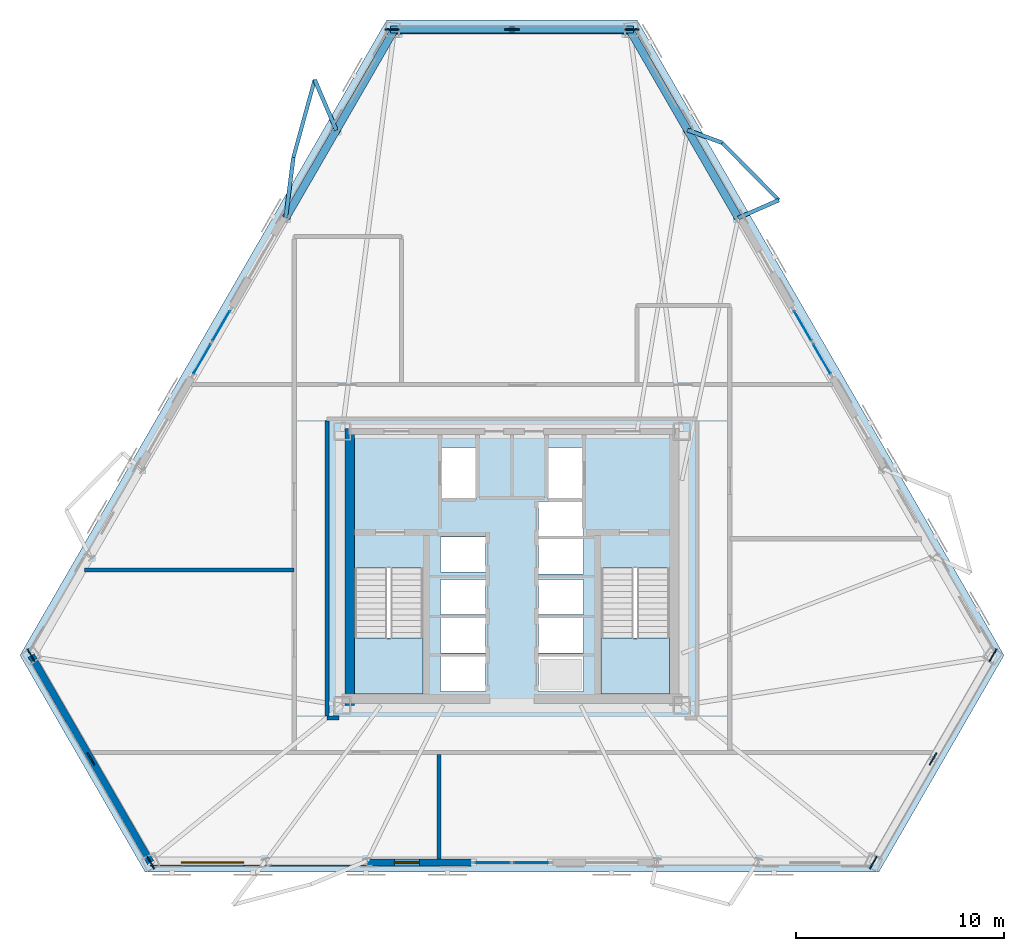
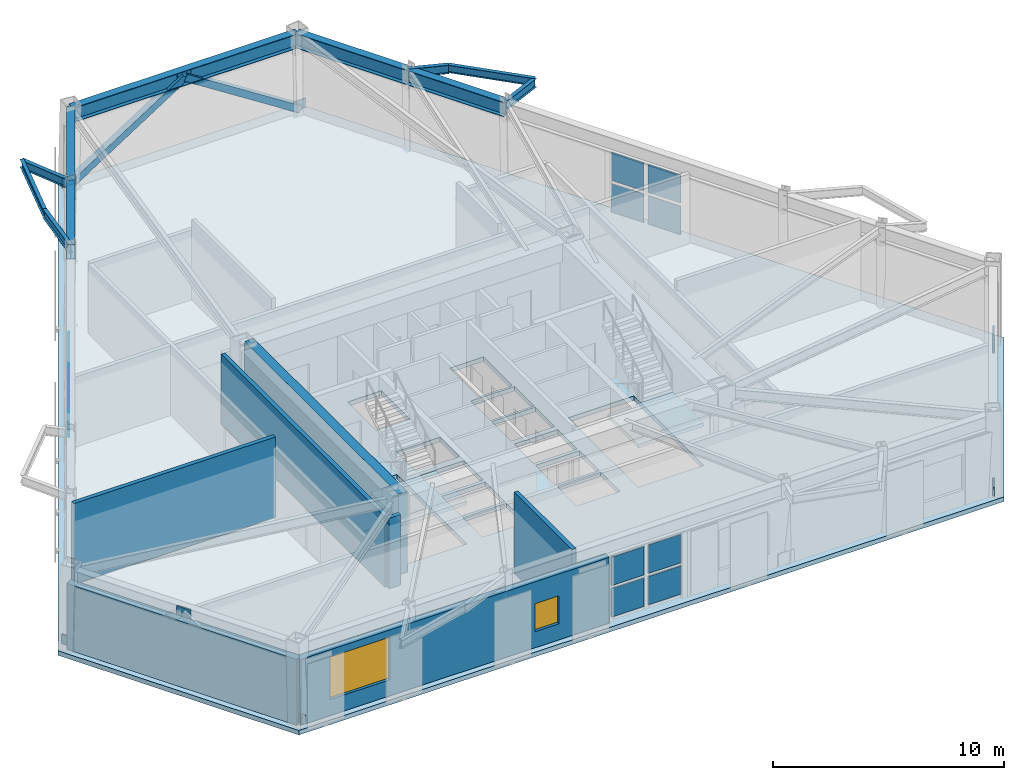
# One storey, part 7 of 14: 21 plates, 11 beams, 7 walls, 3 slabs, 2 members, 2 windows, 2 openings, 5 elements without a shape of their own.
"""IFC4 building model written with IfcOpenShell, lengths in metres."""

import ifcopenshell
import ifcopenshell.guid

model = None  # the IFC model being written
_history = None  # IfcOwnerHistory: only IFC2X3 demands one
_inside = {}  # id of a spatial element -> (the spatial element, [elements in it])
_under = {}  # id of a project, library or spatial element -> (it, [spatial elements below it])
_declared = {}  # id of a project -> (the project, [libraries it declares])
_typed = {}  # id of a type object -> (the type object, [elements of that type])
_made_of = {}  # id of a material, layer set ... -> (it, [elements and type objects made of it])


def new_model(schema):
    """Start an empty IFC model of exactly this schema.

    Asked for "IFC4X3", IfcOpenShell would pick the latest addendum, in which some entities
    have other attributes; the version numbers below select the first issue.
    IFC2X3 requires an IfcOwnerHistory on every rooted entity: one is made here for all.
    """
    global model, _history
    if schema == "IFC4X3":
        model = ifcopenshell.file(schema_version=(4, 3, 0, 0))
    else:
        model = ifcopenshell.file(schema=schema)
    _inside.clear()
    _under.clear()
    _declared.clear()
    _typed.clear()
    _made_of.clear()
    _history = None
    if model.schema == "IFC2X3":
        org = make("IfcOrganization", Name="unknown")
        user = make(
            "IfcPersonAndOrganization",
            ThePerson=make("IfcPerson", FamilyName="unknown"),
            TheOrganization=org,
        )
        app = make(
            "IfcApplication",
            ApplicationDeveloper=org,
            Version="unknown",
            ApplicationFullName="unknown",
            ApplicationIdentifier="unknown",
        )
        _history = make(
            "IfcOwnerHistory",
            OwningUser=user,
            OwningApplication=app,
            ChangeAction="ADDED",
            CreationDate=0,
        )
    return model


def make(cls, **values):
    """One entity of the class cls with the attributes given. An attribute that is None is left unset."""
    return model.create_entity(
        cls, **{name: value for name, value in values.items() if value is not None}
    )


def rooted(cls, **values):
    """An entity with a GlobalId (a new one), such as an element, a storey or a relation."""
    return make(cls, GlobalId=ifcopenshell.guid.new(), OwnerHistory=_history, **values)


def si_unit(unit_type, name, prefix=None):
    """IfcSIUnit, for example si_unit("LENGTHUNIT", "METRE", prefix="MILLI")."""
    return make("IfcSIUnit", UnitType=unit_type, Prefix=prefix, Name=name)


def assignment(units):
    """IfcUnitAssignment: the units of a project."""
    return None if units is None else make("IfcUnitAssignment", Units=units)


def point(xyz):
    """IfcCartesianPoint."""
    return None if xyz is None else make("IfcCartesianPoint", Coordinates=xyz)


def direction(xyz):
    """IfcDirection."""
    return None if xyz is None else make("IfcDirection", DirectionRatios=xyz)


def frame(location, z_axis=None, x_axis=None):
    """IfcAxis2Placement3D, a coordinate frame: its origin and axes. An axis left out is left unset."""
    return make(
        "IfcAxis2Placement3D",
        Location=point(location),
        Axis=direction(z_axis),
        RefDirection=direction(x_axis),
    )


def frame_2d(location, x_axis=None):
    """IfcAxis2Placement2D, a coordinate frame in the plane: its origin and x axis."""
    return make(
        "IfcAxis2Placement2D", Location=point(location), RefDirection=direction(x_axis)
    )


def origin():
    """The frame at (0, 0, 0) with its axes left unset."""
    return frame((0.0, 0.0, 0.0))


def origin_2d():
    """The frame at (0, 0) in the plane with its x axis left unset."""
    return frame_2d((0.0, 0.0))


def place(relative_to, where):
    """IfcLocalPlacement: puts the frame where relative to a parent placement (None: the world)."""
    return make(
        "IfcLocalPlacement", PlacementRelTo=relative_to, RelativePlacement=where
    )


def context(
    kind, dimensions, precision=None, world=None, true_north=None, identifier=None
):
    """IfcGeometricRepresentationContext, for example the 3D "Model" context."""
    return make(
        "IfcGeometricRepresentationContext",
        ContextIdentifier=identifier,
        ContextType=kind,
        CoordinateSpaceDimension=dimensions,
        Precision=precision,
        WorldCoordinateSystem=world,
        TrueNorth=true_north,
    )


def subcontext(parent, identifier, kind, view, scale=None):
    """IfcGeometricRepresentationSubContext, for example "Body" below "Model"."""
    return make(
        "IfcGeometricRepresentationSubContext",
        ContextIdentifier=identifier,
        ContextType=kind,
        ParentContext=parent,
        TargetScale=scale,
        TargetView=view,
    )


def project(units=None, contexts=None):
    """IfcProject with its units and contexts."""
    return rooted(
        "IfcProject",
        Name="project",
        RepresentationContexts=contexts,
        UnitsInContext=assignment(units),
    )


def spatial(cls, under=None, at=None, **own):
    """A site, building, storey or space (cls), placed at a placement, below another one or the project."""
    s = rooted(cls, ObjectPlacement=at, **own)
    if under is not None:
        _under.setdefault(under.id(), (under, []))[1].append(s)
    return s


def polyline(points):
    """IfcPolyline through the points."""
    return make("IfcPolyline", Points=[point(p) for p in points])


def profile(cls, at=None, kind="AREA", **sizes):
    """A parametric profile (cls). Its sizes go by their IFC names, for example OverallWidth=200.0."""
    return make(cls, ProfileType=kind, Position=at, **sizes)


def rectangle(**sizes):
    """IfcRectangleProfileDef."""
    return profile("IfcRectangleProfileDef", **sizes)


def hollow_rectangle(**sizes):
    """IfcRectangleHollowProfileDef."""
    return profile("IfcRectangleHollowProfileDef", **sizes)


def i_section(**sizes):
    """IfcIShapeProfileDef."""
    return profile("IfcIShapeProfileDef", **sizes)


def outline(outer, holes=None, kind="AREA"):
    """IfcArbitraryClosedProfileDef: a profile drawn as a closed curve; with holes, ...WithVoids."""
    if holes is None:
        return make("IfcArbitraryClosedProfileDef", ProfileType=kind, OuterCurve=outer)
    return make(
        "IfcArbitraryProfileDefWithVoids",
        ProfileType=kind,
        OuterCurve=outer,
        InnerCurves=holes,
    )


def extrude(swept, where, along, depth):
    """IfcExtrudedAreaSolid: the profile swept, set in the frame where, extruded along a direction by depth."""
    return make(
        "IfcExtrudedAreaSolid",
        SweptArea=swept,
        Position=where,
        ExtrudedDirection=direction(along),
        Depth=depth,
    )


def shape(context_of_items, identifier, shape_type, items):
    """IfcShapeRepresentation: the items that make up one representation, for example the "Body"."""
    return make(
        "IfcShapeRepresentation",
        ContextOfItems=context_of_items,
        RepresentationIdentifier=identifier,
        RepresentationType=shape_type,
        Items=items,
    )


def material(Name=None, Category=None):
    """IfcMaterial."""
    return make("IfcMaterial", Name=Name, Category=Category)


def layer(
    of_material, thickness, ventilated=None, Name=None, Category=None, Priority=None
):
    """IfcMaterialLayer: one layer of a wall or slab, of a material (None: an air gap)."""
    return make(
        "IfcMaterialLayer",
        Material=of_material,
        LayerThickness=thickness,
        IsVentilated=ventilated,
        Name=Name,
        Category=Category,
        Priority=Priority,
    )


def layer_set(layers, Name=None):
    """IfcMaterialLayerSet."""
    return make("IfcMaterialLayerSet", MaterialLayers=layers, LayerSetName=Name)


def material_profile(
    of_material, cross_section, Name=None, Category=None, Priority=None
):
    """IfcMaterialProfile: a cross section and its material."""
    return make(
        "IfcMaterialProfile",
        Name=Name,
        Material=of_material,
        Profile=cross_section,
        Priority=Priority,
        Category=Category,
    )


def profile_set(profiles, Name=None, composite=None):
    """IfcMaterialProfileSet."""
    return make(
        "IfcMaterialProfileSet",
        Name=Name,
        MaterialProfiles=profiles,
        CompositeProfile=composite,
    )


def made_of(thing, what):
    """Note that an element or type object is made of a material, layer set ...; save() writes the relation."""
    if what is not None:
        _made_of.setdefault(what.id(), (what, []))[1].append(thing)
    return thing


def type_object(cls, material=None, **own):
    """A type object (cls), such as IfcWallType, which elements share."""
    return made_of(rooted(cls, **own), material)


def element(
    cls,
    number,
    at=None,
    inside=None,
    cuts=None,
    type_object=None,
    material=None,
    context=None,
    identifier="Body",
    shape_type=None,
    held_by="IfcProductDefinitionShape",
    body=None,
    shapes=None,
    **own,
):
    """One element of the class cls, such as IfcWall. Its Tag is "e" and its number.

    at: its placement. inside: the storey or other place that contains it. cuts: it is an
    opening in that element (IfcRelVoidsElement). A single representation is given by context,
    identifier, shape_type and body (its items); several are given by shapes. held_by: the class
    of the entity that holds the representations. save() writes the other relations.
    """
    e = rooted(cls, Tag="e%d" % number, ObjectPlacement=at, **own)
    if body is not None:
        shapes = [shape(context, identifier, shape_type, body)]
    if shapes is not None:
        e.Representation = make(held_by, Representations=shapes)
    if inside is not None:
        _inside.setdefault(inside.id(), (inside, []))[1].append(e)
    if cuts is not None:
        rooted(
            "IfcRelVoidsElement", RelatingBuildingElement=cuts, RelatedOpeningElement=e
        )
    if type_object is not None:
        _typed.setdefault(type_object.id(), (type_object, []))[1].append(e)
    return made_of(e, material)


def fill(opening, filler):
    """IfcRelFillsElement: the door or window that sits in an opening."""
    return rooted(
        "IfcRelFillsElement",
        RelatingOpeningElement=opening,
        RelatedBuildingElement=filler,
    )


def aggregate(whole, parts):
    """IfcRelAggregates: a whole, such as a stair, and the parts it consists of."""
    return rooted("IfcRelAggregates", RelatingObject=whole, RelatedObjects=parts)


def save(model, path):
    """Write the relations noted so far, then the file.

    IfcRelAggregates (storeys below a building ...), IfcRelContainedInSpatialStructure (elements
    in a storey), IfcRelDefinesByType, IfcRelAssociatesMaterial and IfcRelDeclares: one each for
    every whole, place, type object, material and project.
    """
    for whole, parts in _under.values():
        aggregate(whole, parts)
    for where, things in _inside.values():
        rooted(
            "IfcRelContainedInSpatialStructure",
            RelatedElements=things,
            RelatingStructure=where,
        )
    for kind, things in _typed.values():
        rooted("IfcRelDefinesByType", RelatedObjects=things, RelatingType=kind)
    for what, things in _made_of.values():
        rooted("IfcRelAssociatesMaterial", RelatedObjects=things, RelatingMaterial=what)
    for by, libraries in _declared.values():
        rooted("IfcRelDeclares", RelatingContext=by, RelatedDefinitions=libraries)
    model.write(path)


model = new_model("IFC4")

# Units and contexts
model_context = context("Model", 3, precision=1e-05, world=origin(), true_north=direction((0.0, 1.0)))
body_context = subcontext(model_context, "Body", "Model", "MODEL_VIEW")
ifc_project = project(units=[si_unit("LENGTHUNIT", "METRE"), si_unit("AREAUNIT", "SQUARE_METRE"), si_unit("VOLUMEUNIT", "CUBIC_METRE"), si_unit("PLANEANGLEUNIT", "RADIAN"), si_unit("MASSUNIT", "GRAM", prefix="KILO")], contexts=[model_context])

# Site, building, storey
site_placement = place(None, origin())
site = spatial("IfcSite", under=ifc_project, at=site_placement, CompositionType="ELEMENT")
building_placement = place(site_placement, origin())
building = spatial("IfcBuilding", under=site, at=building_placement, Name="Oramaril Tower", CompositionType="ELEMENT")
storey_placement = place(building_placement, frame((0.0, 0.0, 107.699951171875)))
storey = spatial("IfcBuildingStorey", under=building, at=storey_placement, Name="L28", CompositionType="ELEMENT", Elevation=107.699951171875)

# Beams
ifc_material_1 = material(Name="Steel ASTM A572 Gr 50", Category="steel")
ifc_material_profile_1 = material_profile(ifc_material_1, i_section(OverallWidth=0.19091796875, OverallDepth=0.45703125, WebThickness=0.009033203125, FlangeThickness=0.014404296875, at=origin_2d()), Name="W18X50")
ifc_profile_set_1 = profile_set([ifc_material_profile_1], Name="Steel ASTM A572 Gr 50")
beam_type_1 = type_object("IfcBeamType", Name="BT-BB1", PredefinedType="BEAM", material=ifc_profile_set_1)
beam_1_placement = place(storey_placement, frame((48.3623046875, 34.396484375, 4.031494140625), z_axis=(0.915418559686, 0.402503242946, 0.0), x_axis=(-0.402503242946, 0.915418559686, 0.0)))
element("IfcBeam", 1, at=beam_1_placement, inside=storey, type_object=beam_type_1, Name="L28 Balcony Column-Framed Cantilever 04.1", PredefinedType="BEAM", context=body_context, shape_type="SweptSolid", body=[
    extrude(i_section(OverallWidth=0.19091796875, OverallDepth=0.45703125, WebThickness=0.009033203125, FlangeThickness=0.014404296875, at=origin_2d()), origin(), (0.0, 0.0, 1.0), 2.12060546875),
])
beam_2_placement = place(storey_placement, frame((45.9296875, 38.60986328125, 4.031494140625), z_axis=(0.938683494878, -0.344780069674, 0.0), x_axis=(0.344780069674, 0.938683494878, 0.0)))
element("IfcBeam", 2, at=beam_2_placement, inside=storey, type_object=beam_type_1, Name="L28 Balcony Column-Framed Cantilever 04.2", PredefinedType="BEAM", context=body_context, shape_type="SweptSolid", body=[
    extrude(i_section(OverallWidth=0.19091796875, OverallDepth=0.45703125, WebThickness=0.009033203125, FlangeThickness=0.014404296875, at=origin_2d()), origin(), (0.0, 0.0, 1.0), 1.760986328125),
])
beam_3_placement = place(storey_placement, frame((29.0703125, 38.60986328125, 4.031494140625), z_axis=(-0.39519619202, 0.918596739496, 0.0), x_axis=(-0.918596739496, -0.39519619202, 0.0)))
element("IfcBeam", 3, at=beam_3_placement, inside=storey, type_object=beam_type_1, Name="L28 Balcony Column-Framed Cantilever 05.1", PredefinedType="BEAM", context=body_context, shape_type="SweptSolid", body=[
    extrude(i_section(OverallWidth=0.19091796875, OverallDepth=0.45703125, WebThickness=0.009033203125, FlangeThickness=0.014404296875, at=origin_2d()), origin(), (0.0, 0.0, 1.0), 2.6298828125),
])
beam_4_placement = place(storey_placement, frame((26.6376953125, 34.396484375, 4.031494140625), z_axis=(0.126740400826, 0.991935920712, 0.0), x_axis=(-0.991935920712, 0.126740400826, 0.0)))
element("IfcBeam", 4, at=beam_4_placement, inside=storey, type_object=beam_type_1, Name="L28 Balcony Column-Framed Cantilever 05.2", PredefinedType="BEAM", context=body_context, shape_type="SweptSolid", body=[
    extrude(i_section(OverallWidth=0.19091796875, OverallDepth=0.45703125, WebThickness=0.009033203125, FlangeThickness=0.014404296875, at=origin_2d()), origin(), (0.0, 0.0, 1.0), 2.920166015625),
])
ifc_material_2 = material(Name="Steel ASTM A572 Gr 50", Category="steel")
ifc_material_profile_2 = material_profile(ifc_material_2, i_section(OverallWidth=0.177978515625, OverallDepth=0.404052734375, WebThickness=0.007568359375, FlangeThickness=0.010986328125, at=origin_2d()), Name="W16X36")
ifc_profile_set_2 = profile_set([ifc_material_profile_2], Name="Steel ASTM A572 Gr 50")
beam_type_2 = type_object("IfcBeamType", Name="BT-SB1", PredefinedType="BEAM", material=ifc_profile_set_2)
beam_5_placement = place(storey_placement, frame((50.303466796875, 35.25, 4.05810546875), z_axis=(-0.702962973102, 0.711226446673, 0.0), x_axis=(-0.711226446673, -0.702962973102, 0.0)))
element("IfcBeam", 5, at=beam_5_placement, inside=storey, type_object=beam_type_2, Name="L28 Balcony Edge Tie Beam 04", PredefinedType="BEAM", context=body_context, shape_type="SweptSolid", body=[
    extrude(i_section(OverallWidth=0.177978515625, OverallDepth=0.404052734375, WebThickness=0.007568359375, FlangeThickness=0.010986328125, at=origin_2d()), origin(), (0.0, 0.0, 1.0), 3.870361328125),
])
beam_6_placement = place(storey_placement, frame((28.031005859375, 41.025634765625, 4.05810546875), z_axis=(-0.264382243015, -0.964417974521, 0.0), x_axis=(0.964417974521, -0.264382243015, 0.0)))
element("IfcBeam", 6, at=beam_6_placement, inside=storey, type_object=beam_type_2, Name="L28 Balcony Edge Tie Beam 05", PredefinedType="BEAM", context=body_context, shape_type="SweptSolid", body=[
    extrude(i_section(OverallWidth=0.177978515625, OverallDepth=0.404052734375, WebThickness=0.007568359375, FlangeThickness=0.010986328125, at=origin_2d()), origin(), (0.0, 0.0, 1.0), 3.8701171875),
])
ifc_material_3 = material(Name="Steel ASTM A572 Gr 50", Category="steel")
ifc_material_profile_3 = material_profile(ifc_material_3, i_section(OverallWidth=0.381103515625, OverallDepth=0.77197265625, WebThickness=0.0166015625, FlangeThickness=0.027099609375, at=origin_2d()), Name="W30X173")
ifc_profile_set_3 = profile_set([ifc_material_profile_3], Name="Steel ASTM A572 Gr 50")
beam_type_3 = type_object("IfcBeamType", Name="BT-SP2", PredefinedType="SPANDREL", material=ifc_profile_set_3)
beam_7_placement = place(storey_placement, frame((48.3623046875, 34.396484375, 3.8740234375), z_axis=(-0.500003351622, 0.866023468716, 0.0), x_axis=(-0.866023468716, -0.500003351622, 0.0)))
element("IfcBeam", 7, at=beam_7_placement, inside=storey, type_object=beam_type_3, Name="L28 Perimeter Spandrel 11", PredefinedType="SPANDREL", context=body_context, shape_type="SweptSolid", body=[
    extrude(i_section(OverallWidth=0.381103515625, OverallDepth=0.77197265625, WebThickness=0.0166015625, FlangeThickness=0.027099609375, at=origin_2d()), origin(), (0.0, 0.0, 1.0), 4.865234375),
])
beam_8_placement = place(storey_placement, frame((45.9296875, 38.60986328125, 3.8740234375), z_axis=(-0.500016400434, 0.866015934782, 0.0), x_axis=(-0.866015934782, -0.500016400434, 0.0)))
element("IfcBeam", 8, at=beam_8_placement, inside=storey, type_object=beam_type_3, Name="L28 Perimeter Spandrel 12", PredefinedType="SPANDREL", context=body_context, shape_type="SweptSolid", body=[
    extrude(i_section(OverallWidth=0.381103515625, OverallDepth=0.77197265625, WebThickness=0.0166015625, FlangeThickness=0.027099609375, at=origin_2d()), origin(), (0.0, 0.0, 1.0), 5.559814453125),
])
beam_9_placement = place(storey_placement, frame((43.149658203125, 43.4248046875, 3.8740234375), z_axis=(-1.0, 0.0, 0.0), x_axis=(0.0, -1.0, 0.0)))
element("IfcBeam", 9, at=beam_9_placement, inside=storey, type_object=beam_type_3, Name="L28 Perimeter Spandrel 13", PredefinedType="SPANDREL", context=body_context, shape_type="SweptSolid", body=[
    extrude(i_section(OverallWidth=0.381103515625, OverallDepth=0.77197265625, WebThickness=0.0166015625, FlangeThickness=0.027099609375, at=origin_2d()), origin(), (0.0, 0.0, 1.0), 11.29931640625),
])
beam_10_placement = place(storey_placement, frame((31.850341796875, 43.4248046875, 3.8740234375), z_axis=(-0.500016400434, -0.866015934782, 0.0), x_axis=(0.866015934782, -0.500016400434, 0.0)))
element("IfcBeam", 10, at=beam_10_placement, inside=storey, type_object=beam_type_3, Name="L28 Perimeter Spandrel 14", PredefinedType="SPANDREL", context=body_context, shape_type="SweptSolid", body=[
    extrude(i_section(OverallWidth=0.381103515625, OverallDepth=0.77197265625, WebThickness=0.0166015625, FlangeThickness=0.027099609375, at=origin_2d()), origin(), (0.0, 0.0, 1.0), 5.559814453125),
])
beam_11_placement = place(storey_placement, frame((29.0703125, 38.60986328125, 3.8740234375), z_axis=(-0.500003351622, -0.866023468716, 0.0), x_axis=(0.866023468716, -0.500003351622, 0.0)))
element("IfcBeam", 11, at=beam_11_placement, inside=storey, type_object=beam_type_3, Name="L28 Perimeter Spandrel 15", PredefinedType="SPANDREL", context=body_context, shape_type="SweptSolid", body=[
    extrude(i_section(OverallWidth=0.381103515625, OverallDepth=0.77197265625, WebThickness=0.0166015625, FlangeThickness=0.027099609375, at=origin_2d()), origin(), (0.0, 0.0, 1.0), 4.865234375),
])

# Members
ifc_material_4 = material(Name="Steel ASTM A572 Gr 50", Category="steel")
ifc_material_profile_4 = material_profile(ifc_material_4, hollow_rectangle(XDim=0.35009765625, YDim=0.35009765625, WallThickness=0.01611328125, at=origin_2d()), Name="HSS350X350X16")
ifc_profile_set_4 = profile_set([ifc_material_profile_4], Name="Steel ASTM A572 Gr 50")
member_type = type_object("IfcMemberType", Name="MT-KB1", PredefinedType="BRACE", material=ifc_profile_set_4)
for number, where, z_axis, x_axis, name in (
    (12, (43.242919921875, 43.434326171875, 0.179931640625), (-0.841030912247, 0.0, 0.540987065137), (0.0, -1.0, 0.0), "L28 Perimeter Chevron Brace KB-3A"),
    (13, (31.757080078125, 43.434326171875, 0.179931640625), (0.841030912247, 0.0, 0.540987065137), (0.0, 1.0, 0.0), "L28 Perimeter Chevron Brace KB-3B"),
):
    element("IfcMember", number, at=place(storey_placement, frame(where, z_axis=z_axis, x_axis=x_axis)), inside=storey, type_object=member_type, Name=name, PredefinedType="BRACE", context=body_context, shape_type="SweptSolid", body=[
        extrude(hollow_rectangle(XDim=0.35009765625, YDim=0.35009765625, WallThickness=0.01611328125, at=origin_2d()), origin(), (0.0, 0.0, 1.0), 6.828369140625),
    ])

# Curtain wall, plates
ifc_material_5 = material(Name="Anodised Aluminium 6063-T6", Category="aluminium")
ifc_layer_1 = layer(ifc_material_5, 0.219970703125)
ifc_layer_set_1 = layer_set([ifc_layer_1], Name="CWT-SYS5")
curtain_wall_type = type_object("IfcCurtainWallType", Name="CWT-SYS5", PredefinedType="NOTDEFINED", material=ifc_layer_set_1)
curtain_wall_1_placement = place(storey_placement, origin())
curtain_wall_1 = element("IfcCurtainWall", 14, at=curtain_wall_1_placement, inside=storey, type_object=curtain_wall_type, Name="L28 Unitised Curtain Wall CW-5", PredefinedType="NOTDEFINED")
ifc_material_6 = material(Name="Coastal Low-E Insulated Glass", Category="glass")
ifc_layer_2 = layer(ifc_material_6, 0.0400390625)
ifc_layer_set_2 = layer_set([ifc_layer_2], Name="PLT-CWP4")
plate_type_1 = type_object("IfcPlateType", Name="PLT-CWP4", PredefinedType="CURTAIN_PANEL", material=ifc_layer_set_2)
plate_1_placement = place(storey_placement, frame((36.580078125, 3.45947265625, 0.16015625), z_axis=(0.0, 0.0, 1.0), x_axis=(1.0, 0.0, 0.0)))
plate_1 = element("IfcPlate", 15, at=plate_1_placement, type_object=plate_type_1, Name="CW-5 panel 1.1", PredefinedType="CURTAIN_PANEL", context=body_context, shape_type="SweptSolid", body=[
    extrude(rectangle(XDim=1.6201171875, YDim=0.0400390625, at=origin_2d()), origin(), (0.0, 0.0, 1.0), 1.4990234375),
])
plate_2_placement = place(storey_placement, frame((36.580078125, 3.45947265625, 1.819091796875), z_axis=(0.0, 0.0, 1.0), x_axis=(1.0, 0.0, 0.0)))
plate_2 = element("IfcPlate", 16, at=plate_2_placement, type_object=plate_type_1, Name="CW-5 panel 1.2", PredefinedType="CURTAIN_PANEL", context=body_context, shape_type="SweptSolid", body=[
    extrude(rectangle(XDim=1.6201171875, YDim=0.0400390625, at=origin_2d()), origin(), (0.0, 0.0, 1.0), 1.4990234375),
])
plate_3_placement = place(storey_placement, frame((38.419921875, 3.45947265625, 0.16015625), z_axis=(0.0, 0.0, 1.0), x_axis=(1.0, 0.0, 0.0)))
plate_3 = element("IfcPlate", 17, at=plate_3_placement, type_object=plate_type_1, Name="CW-5 panel 2.1", PredefinedType="CURTAIN_PANEL", context=body_context, shape_type="SweptSolid", body=[
    extrude(rectangle(XDim=1.6201171875, YDim=0.0400390625, at=origin_2d()), origin(), (0.0, 0.0, 1.0), 1.4990234375),
])
plate_4_placement = place(storey_placement, frame((38.419921875, 3.45947265625, 1.819091796875), z_axis=(0.0, 0.0, 1.0), x_axis=(1.0, 0.0, 0.0)))
plate_4 = element("IfcPlate", 18, at=plate_4_placement, type_object=plate_type_1, Name="CW-5 panel 2.2", PredefinedType="CURTAIN_PANEL", context=body_context, shape_type="SweptSolid", body=[
    extrude(rectangle(XDim=1.6201171875, YDim=0.0400390625, at=origin_2d()), origin(), (0.0, 0.0, 1.0), 1.4990234375),
])
aggregate(curtain_wall_1, [plate_1, plate_2, plate_3, plate_4])

curtain_wall_2_placement = place(storey_placement, origin())
curtain_wall_2 = element("IfcCurtainWall", 19, at=curtain_wall_2_placement, inside=storey, type_object=curtain_wall_type, Name="L28 Unitised Curtain Wall CW-5", PredefinedType="NOTDEFINED")
plate_5_placement = place(storey_placement, frame((52.37109375, 27.62353515625, 0.16015625), z_axis=(0.0, 0.0, 1.0), x_axis=(-0.499999897278, 0.866025463091, 0.0)))
plate_5 = element("IfcPlate", 20, at=plate_5_placement, type_object=plate_type_1, Name="CW-5 panel 1.1", PredefinedType="CURTAIN_PANEL", context=body_context, shape_type="SweptSolid", body=[
    extrude(rectangle(XDim=1.6201171875, YDim=0.0400390625, at=origin_2d()), origin(), (0.0, 0.0, 1.0), 1.4990234375),
])
plate_6_placement = place(storey_placement, frame((52.37109375, 27.62353515625, 1.819091796875), z_axis=(0.0, 0.0, 1.0), x_axis=(-0.499999897278, 0.866025463091, 0.0)))
plate_6 = element("IfcPlate", 21, at=plate_6_placement, type_object=plate_type_1, Name="CW-5 panel 1.2", PredefinedType="CURTAIN_PANEL", context=body_context, shape_type="SweptSolid", body=[
    extrude(rectangle(XDim=1.6201171875, YDim=0.0400390625, at=origin_2d()), origin(), (0.0, 0.0, 1.0), 1.4990234375),
])
plate_7_placement = place(storey_placement, frame((51.451171875, 29.217041015625, 0.16015625), z_axis=(0.0, 0.0, 1.0), x_axis=(-0.499999897278, 0.866025463091, 0.0)))
plate_7 = element("IfcPlate", 22, at=plate_7_placement, type_object=plate_type_1, Name="CW-5 panel 2.1", PredefinedType="CURTAIN_PANEL", context=body_context, shape_type="SweptSolid", body=[
    extrude(rectangle(XDim=1.6201171875, YDim=0.0400390625, at=origin_2d()), origin(), (0.0, 0.0, 1.0), 1.4990234375),
])
plate_8_placement = place(storey_placement, frame((51.451171875, 29.217041015625, 1.819091796875), z_axis=(0.0, 0.0, 1.0), x_axis=(-0.499999897278, 0.866025463091, 0.0)))
plate_8 = element("IfcPlate", 23, at=plate_8_placement, type_object=plate_type_1, Name="CW-5 panel 2.2", PredefinedType="CURTAIN_PANEL", context=body_context, shape_type="SweptSolid", body=[
    extrude(rectangle(XDim=1.6201171875, YDim=0.0400390625, at=origin_2d()), origin(), (0.0, 0.0, 1.0), 1.4990234375),
])
aggregate(curtain_wall_2, [plate_5, plate_6, plate_7, plate_8])

curtain_wall_3_placement = place(storey_placement, origin())
curtain_wall_3 = element("IfcCurtainWall", 24, at=curtain_wall_3_placement, inside=storey, type_object=curtain_wall_type, Name="L28 Unitised Curtain Wall CW-5", PredefinedType="NOTDEFINED")
plate_9_placement = place(storey_placement, frame((23.548828125, 29.217041015625, 0.16015625), z_axis=(0.0, 0.0, 1.0), x_axis=(-0.499999897278, -0.866025463091, 0.0)))
plate_9 = element("IfcPlate", 25, at=plate_9_placement, type_object=plate_type_1, Name="CW-5 panel 1.1", PredefinedType="CURTAIN_PANEL", context=body_context, shape_type="SweptSolid", body=[
    extrude(rectangle(XDim=1.6201171875, YDim=0.0400390625, at=origin_2d()), origin(), (0.0, 0.0, 1.0), 1.4990234375),
])
plate_10_placement = place(storey_placement, frame((23.548828125, 29.217041015625, 1.819091796875), z_axis=(0.0, 0.0, 1.0), x_axis=(-0.499999897278, -0.866025463091, 0.0)))
plate_10 = element("IfcPlate", 26, at=plate_10_placement, type_object=plate_type_1, Name="CW-5 panel 1.2", PredefinedType="CURTAIN_PANEL", context=body_context, shape_type="SweptSolid", body=[
    extrude(rectangle(XDim=1.6201171875, YDim=0.0400390625, at=origin_2d()), origin(), (0.0, 0.0, 1.0), 1.4990234375),
])
plate_11_placement = place(storey_placement, frame((22.62890625, 27.62353515625, 0.16015625), z_axis=(0.0, 0.0, 1.0), x_axis=(-0.499999897278, -0.866025463091, 0.0)))
plate_11 = element("IfcPlate", 27, at=plate_11_placement, type_object=plate_type_1, Name="CW-5 panel 2.1", PredefinedType="CURTAIN_PANEL", context=body_context, shape_type="SweptSolid", body=[
    extrude(rectangle(XDim=1.6201171875, YDim=0.0400390625, at=origin_2d()), origin(), (0.0, 0.0, 1.0), 1.4990234375),
])
plate_12_placement = place(storey_placement, frame((22.62890625, 27.62353515625, 1.819091796875), z_axis=(0.0, 0.0, 1.0), x_axis=(-0.499999897278, -0.866025463091, 0.0)))
plate_12 = element("IfcPlate", 28, at=plate_12_placement, type_object=plate_type_1, Name="CW-5 panel 2.2", PredefinedType="CURTAIN_PANEL", context=body_context, shape_type="SweptSolid", body=[
    extrude(rectangle(XDim=1.6201171875, YDim=0.0400390625, at=origin_2d()), origin(), (0.0, 0.0, 1.0), 1.4990234375),
])
aggregate(curtain_wall_3, [plate_9, plate_10, plate_11, plate_12])

# Plates
ifc_material_7 = material(Name="Steel ASTM A572 Gr 50", Category="steel")
ifc_layer_3 = layer(ifc_material_7, 0.06005859375)
ifc_layer_set_3 = layer_set([ifc_layer_3], Name="PLT-G60")
plate_type_2 = type_object("IfcPlateType", Name="PLT-G60", PredefinedType="USERDEFINED", material=ifc_layer_set_3)
for number, where, z_axis, x_axis, name in (
    (29, (17.2919921875, 8.432861328125, 3.634033203125), (0.0, 0.0, 1.0), (0.500003022996, -0.86602365845, 0.0), "L28 Chevron Brace Gusset Plate BN-1"),
    (30, (14.42041015625, 13.40625, 0.10009765625), (0.0, 0.0, 1.0), (0.500003022996, -0.86602365845, 0.0), "L28 Chevron Brace Gusset Plate BN-1"),
    (31, (20.163330078125, 3.45947265625, 0.10009765625), (0.0, 0.0, 1.0), (0.500003022996, -0.86602365845, 0.0), "L28 Chevron Brace Gusset Plate BN-1"),
    (32, (57.7080078125, 8.432861328125, 3.634033203125), (0.0, 0.0, 1.0), (0.500003022996, 0.86602365845, 0.0), "L28 Chevron Brace Gusset Plate BN-1"),
    (33, (54.836669921875, 3.45947265625, 0.10009765625), (0.0, 0.0, 1.0), (0.500003022996, 0.86602365845, 0.0), "L28 Chevron Brace Gusset Plate BN-1"),
    (34, (60.57958984375, 13.40625, 0.10009765625), (0.0, 0.0, 1.0), (0.500003022996, 0.86602365845, 0.0), "L28 Chevron Brace Gusset Plate BN-1"),
    (35, (37.5, 43.434326171875, 3.634033203125), (0.0, 0.0, 1.0), (-1.0, 0.0, 0.0), "L28 Chevron Brace Gusset Plate BN-1"),
    (36, (43.242919921875, 43.434326171875, 0.10009765625), (0.0, 0.0, 1.0), (-1.0, 0.0, 0.0), "L28 Chevron Brace Gusset Plate BN-1"),
    (37, (31.757080078125, 43.434326171875, 0.10009765625), (0.0, 0.0, 1.0), (-1.0, 0.0, 0.0), "L28 Chevron Brace Gusset Plate BN-1"),
):
    element("IfcPlate", number, at=place(storey_placement, frame(where, z_axis=z_axis, x_axis=x_axis)), inside=storey, type_object=plate_type_2, Name=name, ObjectType="GUSSET", PredefinedType="USERDEFINED", context=body_context, shape_type="SweptSolid", body=[
        extrude(rectangle(XDim=0.679931640625, YDim=0.06005859375, at=origin_2d()), origin(), (0.0, 0.0, 1.0), 0.47998046875),
    ])

# Slab
ifc_material_8 = material(Name="Concrete C50/60", Category="concrete")
ifc_layer_4 = layer(ifc_material_8, 0.239990234375)
ifc_layer_set_4 = layer_set([ifc_layer_4], Name="SLT-FLR24")
slab_type_1 = type_object("IfcSlabType", Name="SLT-FLR24", PredefinedType="FLOOR", material=ifc_layer_set_4)
slab_1_placement = place(storey_placement, frame((0.0, 0.0, -0.239990234375)))
element("IfcSlab", 38, at=slab_1_placement, inside=storey, type_object=slab_type_1, Name="L28 Structural Floor Slab", PredefinedType="FLOOR", context=body_context, shape_type="SweptSolid", body=[
    extrude(outline(polyline([(13.889404296875, 13.40625), (19.897705078125, 2.99951171875), (55.102294921875, 2.99951171875), (61.110595703125, 13.40625), (43.508544921875, 43.894287109375), (31.491455078125, 43.894287109375), (13.889404296875, 13.40625)]), holes=[polyline([(29.949951171875, 17.58935546875), (29.949951171875, 11.550048828125), (33.219970703125, 11.550048828125), (33.219970703125, 17.58935546875), (29.949951171875, 17.58935546875)]), polyline([(41.780029296875, 17.58935546875), (41.780029296875, 11.550048828125), (45.050048828125, 11.550048828125), (45.050048828125, 17.58935546875), (41.780029296875, 17.58935546875)]), polyline([(34.110107421875, 20.909912109375), (35.7900390625, 20.909912109375), (35.7900390625, 23.389892578125), (34.110107421875, 23.389892578125), (34.110107421875, 20.909912109375)]), polyline([(39.2099609375, 20.909912109375), (40.889892578125, 20.909912109375), (40.889892578125, 23.389892578125), (39.2099609375, 23.389892578125), (39.2099609375, 20.909912109375)]), polyline([(34.06005859375, 11.659912109375), (36.239990234375, 11.659912109375), (36.239990234375, 13.340087890625), (34.06005859375, 13.340087890625), (34.06005859375, 11.659912109375)]), polyline([(34.06005859375, 13.510009765625), (36.239990234375, 13.510009765625), (36.239990234375, 15.18994140625), (34.06005859375, 15.18994140625), (34.06005859375, 13.510009765625)]), polyline([(34.06005859375, 15.360107421875), (36.239990234375, 15.360107421875), (36.239990234375, 17.0400390625), (34.06005859375, 17.0400390625), (34.06005859375, 15.360107421875)]), polyline([(38.760009765625, 11.659912109375), (40.93994140625, 11.659912109375), (40.93994140625, 13.340087890625), (38.760009765625, 13.340087890625), (38.760009765625, 11.659912109375)]), polyline([(38.760009765625, 13.510009765625), (40.93994140625, 13.510009765625), (40.93994140625, 15.18994140625), (38.760009765625, 15.18994140625), (38.760009765625, 13.510009765625)]), polyline([(38.760009765625, 15.360107421875), (40.93994140625, 15.360107421875), (40.93994140625, 17.0400390625), (38.760009765625, 17.0400390625), (38.760009765625, 15.360107421875)]), polyline([(34.06005859375, 17.409912109375), (36.239990234375, 17.409912109375), (36.239990234375, 19.090087890625), (34.06005859375, 19.090087890625), (34.06005859375, 17.409912109375)]), polyline([(38.760009765625, 17.31005859375), (40.93994140625, 17.31005859375), (40.93994140625, 18.989990234375), (38.760009765625, 18.989990234375), (38.760009765625, 17.31005859375)]), polyline([(38.760009765625, 19.110107421875), (40.93994140625, 19.110107421875), (40.93994140625, 20.7900390625), (38.760009765625, 20.7900390625), (38.760009765625, 19.110107421875)])]), origin(), (0.0, 0.0, 1.0), 0.239990234375),
])

# Stair, slab
ifc_material_9 = material(Name="Concrete C50/60", Category="concrete")
stair_type = type_object("IfcStairType", Name="STT-DG-4500", PredefinedType="HALF_TURN_STAIR", material=ifc_material_9)
stair_1_placement = place(storey_placement, origin())
stair_1 = element("IfcStair", 39, at=stair_1_placement, inside=storey, type_object=stair_type, Name="L28 Protected PFP Exit Stair ST-1", PredefinedType="HALF_TURN_STAIR")
ifc_material_10 = material(Name="Concrete C50/60", Category="concrete")
ifc_layer_5 = layer(ifc_material_10, 0.199951171875)
ifc_layer_set_5 = layer_set([ifc_layer_5], Name="SLT-LND20")
slab_type_2 = type_object("IfcSlabType", Name="SLT-LND20", PredefinedType="LANDING", material=ifc_layer_set_5)
slab_2_placement = place(storey_placement, frame((0.0, 0.0, 2.050048828125)))
slab_2 = element("IfcSlab", 40, at=slab_2_placement, type_object=slab_type_2, Name="ST-1 landing 1", PredefinedType="LANDING", context=body_context, shape_type="SweptSolid", body=[
    extrude(outline(polyline([(29.949951171875, 14.22998046875), (29.949951171875, 11.550048828125), (33.219970703125, 11.550048828125), (33.219970703125, 14.22998046875), (29.949951171875, 14.22998046875)])), origin(), (0.0, 0.0, 1.0), 0.199951171875),
])
aggregate(stair_1, [slab_2])

stair_2_placement = place(storey_placement, origin())
stair_2 = element("IfcStair", 41, at=stair_2_placement, inside=storey, type_object=stair_type, Name="L28 Protected PFP Exit Stair ST-2", PredefinedType="HALF_TURN_STAIR")
slab_3_placement = place(storey_placement, frame((0.0, 0.0, 2.050048828125)))
slab_3 = element("IfcSlab", 42, at=slab_3_placement, type_object=slab_type_2, Name="ST-2 landing 1", PredefinedType="LANDING", context=body_context, shape_type="SweptSolid", body=[
    extrude(outline(polyline([(41.780029296875, 14.22998046875), (41.780029296875, 11.550048828125), (45.050048828125, 11.550048828125), (45.050048828125, 14.22998046875), (41.780029296875, 14.22998046875)])), origin(), (0.0, 0.0, 1.0), 0.199951171875),
])
aggregate(stair_2, [slab_3])

# Wall
ifc_material_11 = material(Name="Warm Cream Limestone", Category="masonry")
ifc_layer_6 = layer(ifc_material_11, 0.340087890625)
ifc_layer_set_6 = layer_set([ifc_layer_6], Name="WT-EXT34")
wall_type_1 = type_object("IfcWallType", Name="WT-EXT34", PredefinedType="SOLIDWALL", material=ifc_layer_set_6)
wall_1_placement = place(storey_placement, frame((14.42041015625, 13.40625, 0.0), z_axis=(0.0, 0.0, 1.0), x_axis=(0.500009490851, -0.86601992417, 0.0)))
element("IfcWall", 43, at=wall_1_placement, inside=storey, type_object=wall_type_1, Name="L28 Tower Limestone Facade Wall 1M", PredefinedType="SOLIDWALL", context=body_context, shape_type="SweptSolid", body=[
    extrude(rectangle(XDim=11.485595703125, YDim=0.340087890625, at=frame_2d((5.74267578125, 0.0))), origin(), (0.0, 0.0, 1.0), 3.47802734375),
])

# Wall, openings, windows
wall_2_placement = place(storey_placement, frame((20.163330078125, 3.45947265625, 0.0), z_axis=(0.0, 0.0, 1.0), x_axis=(1.0, 0.0, 0.0)))
wall_2 = element("IfcWall", 44, at=wall_2_placement, inside=storey, type_object=wall_type_1, Name="L28 Tower Limestone Facade Wall 2L", PredefinedType="SOLIDWALL", context=body_context, shape_type="SweptSolid", body=[
    extrude(rectangle(XDim=15.38671875, YDim=0.340087890625, at=frame_2d((7.693359375, 0.0))), origin(), (0.0, 0.0, 1.0), 3.47802734375),
])
opening_1_placement = place(wall_2_placement, frame((1.460693359375, 0.0, 0.85009765625)))
opening_1 = element("IfcOpeningElement", 45, at=opening_1_placement, cuts=wall_2, Name="Opening WN-10", PredefinedType="OPENING", context=body_context, shape_type="SweptSolid", body=[
    extrude(rectangle(XDim=3.0, YDim=2.25, at=frame_2d((1.5, 1.125))), frame((0.0, 0.169921875, 0.0), z_axis=(0.0, -1.0, 0.0), x_axis=(1.0, 0.0, 0.0)), (0.0, 0.0, 1.0), 0.340087890625),
])
opening_2_placement = place(wall_2_placement, frame((11.69140625, 0.0, 0.85009765625)))
opening_2 = element("IfcOpeningElement", 46, at=opening_2_placement, cuts=wall_2, Name="Opening WN-09", PredefinedType="OPENING", context=body_context, shape_type="SweptSolid", body=[
    extrude(rectangle(XDim=1.199951171875, YDim=1.47998046875, at=frame_2d((0.60009765625, 0.739990234375))), frame((0.0, 0.169921875, 0.0), z_axis=(0.0, -1.0, 0.0), x_axis=(1.0, 0.0, 0.0)), (0.0, 0.0, 1.0), 0.340087890625),
])
ifc_material_12 = material(Name="Coastal Low-E Insulated Glass", Category="glass")
window_type_1 = type_object("IfcWindowType", Name="WNT-09", PartitioningType="SINGLE_PANEL", PredefinedType="WINDOW", material=ifc_material_12)
window_1_placement = place(opening_2_placement, origin())
window_1 = element("IfcWindow", 47, at=window_1_placement, inside=storey, type_object=window_type_1, Name="L28 Chicago Bay Window WN-09", OverallHeight=1.47998046875, OverallWidth=1.199951171875, PartitioningType="SINGLE_PANEL", PredefinedType="WINDOW", context=body_context, shape_type="SweptSolid", body=[
    extrude(rectangle(XDim=1.199951171875, YDim=1.47998046875, at=frame_2d((0.60009765625, 0.739990234375))), frame((0.0, 0.030029296875, 0.0), z_axis=(0.0, -1.0, 0.0), x_axis=(1.0, 0.0, 0.0)), (0.0, 0.0, 1.0), 0.06005859375),
])
fill(opening_2, window_1)
ifc_material_13 = material(Name="Coastal Low-E Insulated Glass", Category="glass")
window_type_2 = type_object("IfcWindowType", Name="WNT-10", PartitioningType="SINGLE_PANEL", PredefinedType="WINDOW", material=ifc_material_13)
window_2_placement = place(opening_1_placement, origin())
window_2 = element("IfcWindow", 48, at=window_2_placement, inside=storey, type_object=window_type_2, Name="L28 Chicago Bay Window WN-10", OverallHeight=2.25, OverallWidth=3.0, PartitioningType="SINGLE_PANEL", PredefinedType="WINDOW", context=body_context, shape_type="SweptSolid", body=[
    extrude(rectangle(XDim=3.0, YDim=2.25, at=frame_2d((1.5, 1.125))), frame((0.0, 0.030029296875, 0.0), z_axis=(0.0, -1.0, 0.0), x_axis=(1.0, 0.0, 0.0)), (0.0, 0.0, 1.0), 0.06005859375),
])
fill(opening_1, window_2)

# Walls
ifc_material_14 = material(Name="Autoclaved Cellular Concrete Block", Category="concrete")
ifc_layer_7 = layer(ifc_material_14, 0.199951171875)
ifc_layer_set_7 = layer_set([ifc_layer_7], Name="WT-PT20")
wall_type_2 = type_object("IfcWallType", Name="WT-PT20", PredefinedType="PARTITIONING", material=ifc_layer_set_7)
wall_3_placement = place(storey_placement, frame((28.6201171875, 10.39990234375, 0.0), z_axis=(0.0, 0.0, 1.0), x_axis=(1.0, 0.0, 0.0)))
element("IfcWall", 49, at=wall_3_placement, inside=storey, type_object=wall_type_2, Name="L28 Interior Partition PT-20", PredefinedType="PARTITIONING", context=body_context, shape_type="SweptSolid", body=[
    extrude(rectangle(XDim=0.579833984375, YDim=0.199951171875, at=frame_2d((0.2900390625, 0.0))), origin(), (0.0, 0.0, 1.0), 3.714111328125),
])
wall_4_placement = place(storey_placement, frame((16.98486328125, 17.5, 0.0), z_axis=(0.0, 0.0, 1.0), x_axis=(1.0, 0.0, 0.0)))
element("IfcWall", 50, at=wall_4_placement, inside=storey, type_object=wall_type_2, Name="L28 Interior Partition PT-20", PredefinedType="PARTITIONING", context=body_context, shape_type="SweptSolid", body=[
    extrude(rectangle(XDim=10.065185546875, YDim=0.199951171875, at=frame_2d((5.03271484375, 0.0))), origin(), (0.0, 0.0, 1.0), 4.260009765625),
])
wall_5_placement = place(storey_placement, frame((28.6201171875, 10.50390625, 0.0), z_axis=(0.0, 0.0, 1.0), x_axis=(0.0, 1.0, 0.0)))
element("IfcWall", 51, at=wall_5_placement, inside=storey, type_object=wall_type_2, Name="L28 Interior Partition PT-20", PredefinedType="PARTITIONING", context=body_context, shape_type="SweptSolid", body=[
    extrude(rectangle(XDim=14.14208984375, YDim=0.199951171875, at=frame_2d((7.071044921875, 0.0))), origin(), (0.0, 0.0, 1.0), 3.714111328125),
])
wall_6_placement = place(storey_placement, frame((34.0, 3.63330078125, 0.0), z_axis=(0.0, 0.0, 1.0), x_axis=(0.0, 1.0, 0.0)))
element("IfcWall", 52, at=wall_6_placement, inside=storey, type_object=wall_type_2, Name="L28 Interior Partition PT-20", PredefinedType="PARTITIONING", context=body_context, shape_type="SweptSolid", body=[
    extrude(rectangle(XDim=5.0126953125, YDim=0.199951171875, at=frame_2d((2.50634765625, 0.0))), origin(), (0.0, 0.0, 1.0), 4.260009765625),
])
ifc_material_15 = material(Name="Concrete C50/60", Category="concrete")
ifc_layer_8 = layer(ifc_material_15, 0.449951171875)
ifc_layer_set_8 = layer_set([ifc_layer_8], Name="WT-SH45")
wall_type_3 = type_object("IfcWallType", Name="WT-SH45", PredefinedType="SHEAR", material=ifc_layer_set_8)
wall_7_placement = place(storey_placement, frame((29.715087890625, 11.0, 0.0), z_axis=(0.0, 0.0, 1.0), x_axis=(0.0, 1.0, 0.0)))
element("IfcWall", 53, at=wall_7_placement, inside=storey, type_object=wall_type_3, Name="L28 Core Shear Wall CW-W", PredefinedType="SHEAR", context=body_context, shape_type="SweptSolid", body=[
    extrude(rectangle(XDim=13.300048828125, YDim=0.449951171875, at=frame_2d((6.64990234375, 0.0))), origin(), (0.0, 0.0, 1.0), 4.260009765625),
])

save(model, "model.ifc")
